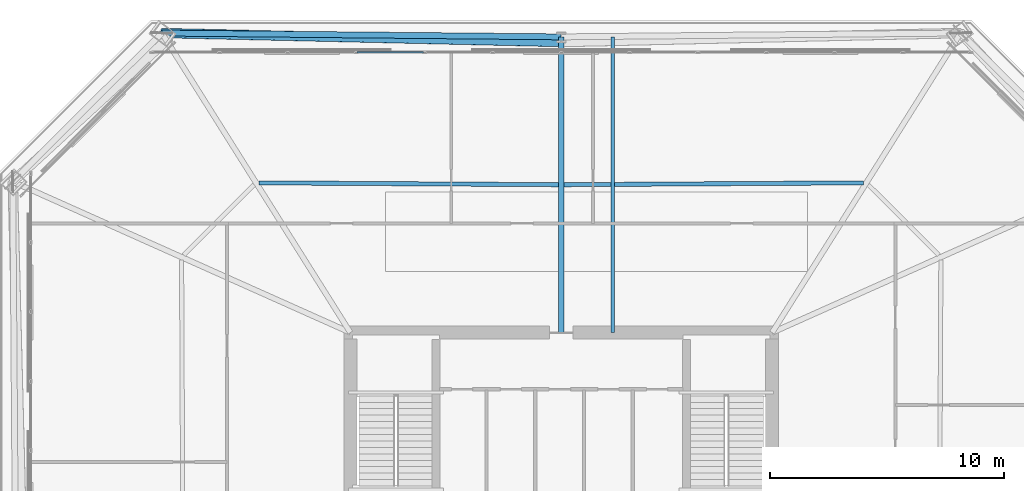
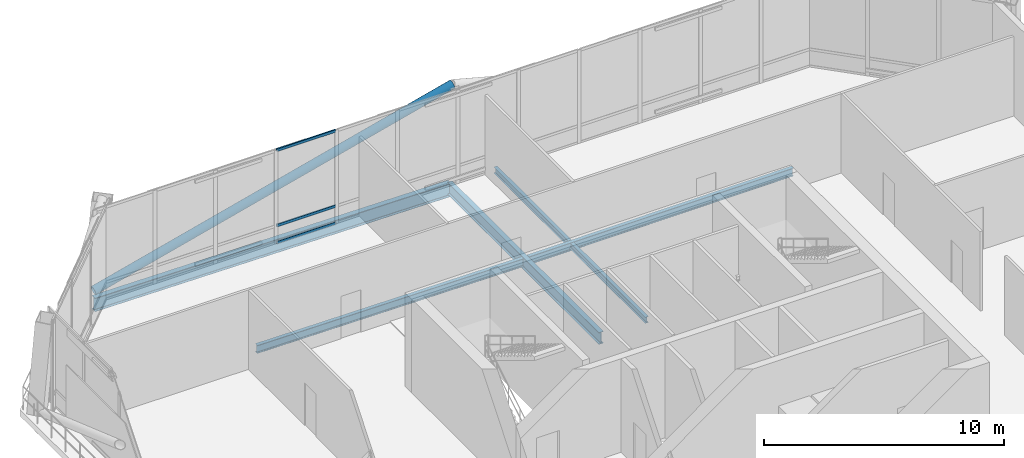
# One storey, part 21 of 34: 5 beams, 4 members, 1 element without a shape of its own.
"""IFC4 building model written with IfcOpenShell, lengths in metres."""

from ifc_helpers import new_model, si_unit, direction, frame, origin, origin_2d, place, context, subcontext, project, spatial, hollow_rectangle, hollow_circle, i_section, extrude, material, layer, layer_set, material_profile, profile_set, type_object, element, aggregate, save


model = new_model("IFC4")

# Units and contexts
model_context = context("Model", 3, precision=1e-05, world=origin(), true_north=direction((0.0, 1.0)))
body_context = subcontext(model_context, "Body", "Model", "MODEL_VIEW")
ifc_project = project(units=[si_unit("LENGTHUNIT", "METRE"), si_unit("AREAUNIT", "SQUARE_METRE"), si_unit("VOLUMEUNIT", "CUBIC_METRE"), si_unit("PLANEANGLEUNIT", "RADIAN"), si_unit("MASSUNIT", "GRAM", prefix="KILO")], contexts=[model_context])

# Site, building, storey
site_placement = place(None, origin())
site = spatial("IfcSite", under=ifc_project, at=site_placement, CompositionType="ELEMENT")
building_placement = place(site_placement, origin())
building = spatial("IfcBuilding", under=site, at=building_placement, Name="Caelvoria Tower", CompositionType="ELEMENT")
storey_placement = place(building_placement, frame((0.0, 0.0, 172.0)))
storey = spatial("IfcBuildingStorey", under=building, at=storey_placement, Name="L45", CompositionType="ELEMENT", Elevation=172.0)

# Beam
ifc_material_1 = material(Name="Structural Steel ASTM A992 Gr.50", Category="steel")
ifc_material_profile_1 = material_profile(ifc_material_1, i_section(OverallWidth=0.166015625, OverallDepth=0.31298828125, WebThickness=0.006591796875, FlangeThickness=0.01123046875, FilletRadius=0.011962890625, at=origin_2d()), Name="Structural Steel ASTM A992 Gr.50")
ifc_profile_set_1 = profile_set([ifc_material_profile_1], Name="W310X44.5 - Structural Steel ASTM A992 Gr.50")
beam_type_1 = type_object("IfcBeamType", Name="Composite Floor Intermediate Joist W310X44.5", PredefinedType="JOIST", material=ifc_profile_set_1)
beam_1_placement = place(storey_placement, frame((48.199951171875, 40.0, -0.47705078125), z_axis=(0.0, 1.0, 0.0), x_axis=(-1.0, 0.0, 0.0)))
element("IfcBeam", 1, at=beam_1_placement, inside=storey, type_object=beam_type_1, Name="Intermediate Floor Joist L45 North", PredefinedType="JOIST", context=body_context, shape_type="SweptSolid", body=[
    extrude(i_section(OverallWidth=0.166015625, OverallDepth=0.31298828125, WebThickness=0.006591796875, FlangeThickness=0.01123046875, FilletRadius=0.011962890625, at=origin_2d()), origin(), (0.0, 0.0, 1.0), 12.6201171875),
])

# Curtain wall, members
ifc_material_2 = material(Name="Anodised Bronze Aluminium and Low-E Glass", Category="aluminium")
ifc_layer = layer(ifc_material_2, 0.2099609375, Name="Anodised Bronze Aluminium and Low-E Glass")
ifc_layer_set = layer_set([ifc_layer], Name="CW System 3 Sky Lobby Double-Height Acoustic Facade - Anodised Bronze Aluminium and Low-E Glass")
curtain_wall_type = type_object("IfcCurtainWallType", Name="CW System 3 Sky Lobby Double-Height Acoustic Facade", PredefinedType="NOTDEFINED", material=ifc_layer_set)
curtain_wall_placement = place(storey_placement, origin())
curtain_wall = element("IfcCurtainWall", 2, at=curtain_wall_placement, inside=storey, type_object=curtain_wall_type, Name="CW-03 Curtain Wall L45-E4", PredefinedType="NOTDEFINED")
ifc_material_3 = material(Name="Anodised Bronze Architectural Aluminium", Category="aluminium")
ifc_material_profile_2 = material_profile(ifc_material_3, hollow_rectangle(XDim=0.06494140625, YDim=0.1298828125, WallThickness=0.00341796875, at=origin_2d()), Name="Anodised Bronze Architectural Aluminium")
ifc_profile_set_2 = profile_set([ifc_material_profile_2], Name="CW_TRAN_65X130 - Anodised Bronze Architectural Aluminium")
member_type_1 = type_object("IfcMemberType", Name="Curtain Wall Transom 65x130 Bronze Aluminium", PredefinedType="USERDEFINED", material=ifc_profile_set_2)
member_1_placement = place(storey_placement, frame((40.131591796875, 51.9599609375, 0.032470703125), z_axis=(-1.0, 0.0, 0.0), x_axis=(0.0, -1.0, 0.0)))
member_1 = element("IfcMember", 3, at=member_1_placement, type_object=member_type_1, Name="CW-03 transom 9.1", ObjectType="TRANSOM", PredefinedType="USERDEFINED", context=body_context, shape_type="SweptSolid", body=[
    extrude(hollow_rectangle(XDim=0.06494140625, YDim=0.1298828125, WallThickness=0.00341796875, at=origin_2d()), origin(), (0.0, 0.0, 1.0), 2.8466796875),
])
member_2_placement = place(storey_placement, frame((40.131591796875, 51.9599609375, 0.89990234375), z_axis=(-1.0, 0.0, 0.0), x_axis=(0.0, -1.0, 0.0)))
member_2 = element("IfcMember", 4, at=member_2_placement, type_object=member_type_1, Name="CW-03 transom 9.2", ObjectType="TRANSOM", PredefinedType="USERDEFINED", context=body_context, shape_type="SweptSolid", body=[
    extrude(hollow_rectangle(XDim=0.06494140625, YDim=0.1298828125, WallThickness=0.00341796875, at=origin_2d()), origin(), (0.0, 0.0, 1.0), 2.8466796875),
])
member_3_placement = place(storey_placement, frame((40.131591796875, 51.9599609375, 4.7275390625), z_axis=(-1.0, 0.0, 0.0), x_axis=(0.0, -1.0, 0.0)))
member_3 = element("IfcMember", 5, at=member_3_placement, type_object=member_type_1, Name="CW-03 transom 9.3", ObjectType="TRANSOM", PredefinedType="USERDEFINED", context=body_context, shape_type="SweptSolid", body=[
    extrude(hollow_rectangle(XDim=0.06494140625, YDim=0.1298828125, WallThickness=0.00341796875, at=origin_2d()), origin(), (0.0, 0.0, 1.0), 2.8466796875),
])
aggregate(curtain_wall, [member_1, member_2, member_3])

# Beams
ifc_material_profile_3 = material_profile(ifc_material_1, i_section(OverallWidth=0.25390625, OverallDepth=0.68798828125, WebThickness=0.01318359375, FlangeThickness=0.02099609375, FilletRadius=0.01904296875, at=origin_2d()), Name="Structural Steel ASTM A992 Gr.50")
ifc_profile_set_3 = profile_set([ifc_material_profile_3], Name="W690X152 - Structural Steel ASTM A992 Gr.50")
beam_type_2 = type_object("IfcBeamType", Name="Perimeter Spandrel Girder W690X152", PredefinedType="BEAM", material=ifc_profile_set_3)
beam_2_placement = place(storey_placement, frame((46.0, 52.6201171875, -0.6640625), z_axis=(-0.999954221893, 0.009568391638, 0.0), x_axis=(-0.009568391638, -0.999954221893, 0.0)))
element("IfcBeam", 6, at=beam_2_placement, inside=storey, type_object=beam_type_2, Name="Perimeter Spandrel Girder L45-07", PredefinedType="BEAM", context=body_context, shape_type="SweptSolid", body=[
    extrude(i_section(OverallWidth=0.25390625, OverallDepth=0.68798828125, WebThickness=0.01318359375, FlangeThickness=0.02099609375, FilletRadius=0.01904296875, at=origin_2d()), origin(), (0.0, 0.0, 1.0), 17.044189453125),
])
ifc_material_profile_4 = material_profile(ifc_material_1, i_section(OverallWidth=0.22802734375, OverallDepth=0.60302734375, WebThickness=0.010498046875, FlangeThickness=0.014892578125, FilletRadius=0.01806640625, at=origin_2d()), Name="Structural Steel ASTM A992 Gr.50")
ifc_profile_set_4 = profile_set([ifc_material_profile_4], Name="W610X101 - Structural Steel ASTM A992 Gr.50")
beam_type_3 = type_object("IfcBeamType", Name="Primary Floor Girder W610X101", PredefinedType="BEAM", material=ifc_profile_set_4)
beam_3_placement = place(storey_placement, frame((46.0, 40.0, -0.62158203125), z_axis=(0.0, 1.0, 0.0), x_axis=(-1.0, 0.0, 0.0)))
element("IfcBeam", 7, at=beam_3_placement, inside=storey, type_object=beam_type_3, Name="Primary Floor Girder L45-07", PredefinedType="BEAM", context=body_context, shape_type="SweptSolid", body=[
    extrude(i_section(OverallWidth=0.22802734375, OverallDepth=0.60302734375, WebThickness=0.010498046875, FlangeThickness=0.014892578125, FilletRadius=0.01806640625, at=origin_2d()), origin(), (0.0, 0.0, 1.0), 12.6201171875),
])
ifc_material_profile_5 = material_profile(ifc_material_1, i_section(OverallWidth=0.177978515625, OverallDepth=0.406982421875, WebThickness=0.0078125, FlangeThickness=0.0126953125, FilletRadius=0.013916015625, at=origin_2d()), Name="Structural Steel ASTM A992 Gr.50")
ifc_profile_set_5 = profile_set([ifc_material_profile_5], Name="W410X60 - Structural Steel ASTM A992 Gr.50")
beam_type_4 = type_object("IfcBeamType", Name="Secondary Floor Beam W410X60", PredefinedType="BEAM", material=ifc_profile_set_5)
for number, where, z_axis, x_axis, name in (
    (8, (58.896728515625, 46.390869140625, -0.5234375), (-0.99998034443, -0.00626982878, 0.0), (0.00626982878, -0.99998034443, 0.0), "Secondary Floor Beam L45-06"),
    (9, (45.875, 46.310791015625, -0.5234375), (-0.99998034443, 0.00626982878, 0.0), (-0.00626982878, -0.99998034443, 0.0), "Secondary Floor Beam L45-07"),
):
    element("IfcBeam", number, at=place(storey_placement, frame(where, z_axis=z_axis, x_axis=x_axis)), inside=storey, type_object=beam_type_4, Name=name, PredefinedType="BEAM", context=body_context, shape_type="SweptSolid", body=[
        extrude(i_section(OverallWidth=0.177978515625, OverallDepth=0.406982421875, WebThickness=0.0078125, FlangeThickness=0.0126953125, FilletRadius=0.013916015625, at=origin_2d()), origin(), (0.0, 0.0, 1.0), 12.77197265625),
    ])

# Member
ifc_material_4 = material(Name="Structural Steel ASTM A572 Gr.50", Category="steel")
ifc_material_profile_6 = material_profile(ifc_material_4, hollow_circle(Radius=0.202880859375, WallThickness=0.01611328125, at=origin_2d()), Name="Structural Steel ASTM A572 Gr.50")
ifc_profile_set_6 = profile_set([ifc_material_profile_6], Name="CHS406X16 - Structural Steel ASTM A572 Gr.50")
member_type_2 = type_object("IfcMemberType", Name="Upper Perimeter Mega Brace CHS406X16", PredefinedType="BRACE", material=ifc_profile_set_6)
member_4_placement = place(storey_placement, frame((28.95654296875, 52.783203125, 0.0), z_axis=(0.962916336114, -0.021655617357, 0.268929663447), x_axis=(0.022483929395, 0.999747204507, 0.0)))
element("IfcMember", 10, at=member_4_placement, inside=storey, type_object=member_type_2, Name="Perimeter Cardinal Mega Brace L45 NB", PredefinedType="BRACE", context=body_context, shape_type="SweptSolid", body=[
    extrude(hollow_circle(Radius=0.202880859375, WallThickness=0.01611328125, at=origin_2d()), origin(), (0.0, 0.0, 1.0), 17.699951171875),
])

save(model, "model.ifc")
